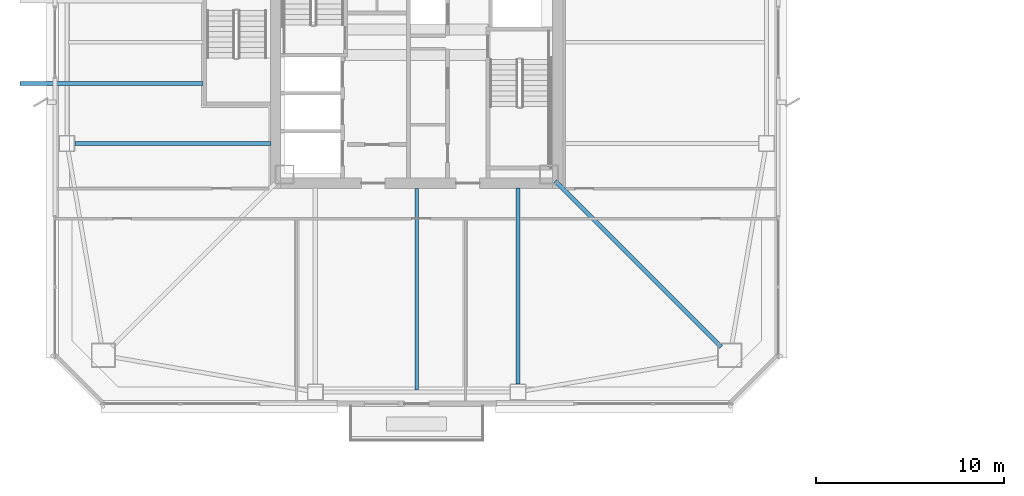
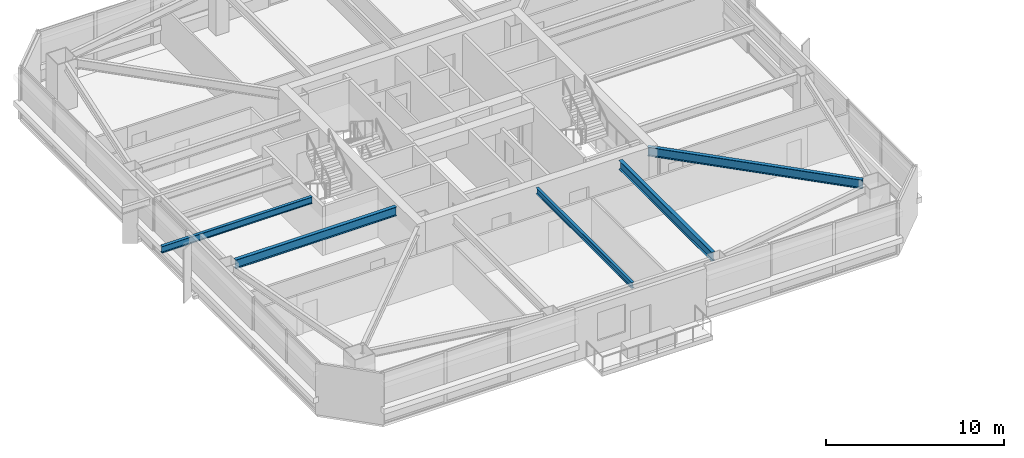
# One storey, part 7 of 48: 5 beams.
"""IFC4 building model written with IfcOpenShell, lengths in metres."""

from ifc_helpers import new_model, si_unit, direction, frame, origin, origin_2d, place, context, subcontext, project, spatial, i_section, extrude, material, material_profile, profile_set, type_object, element, save


model = new_model("IFC4")

# Units and contexts
model_context = context("Model", 3, precision=1e-05, world=origin(), true_north=direction((0.0, 1.0)))
body_context = subcontext(model_context, "Body", "Model", "MODEL_VIEW")
ifc_project = project(units=[si_unit("LENGTHUNIT", "METRE"), si_unit("AREAUNIT", "SQUARE_METRE"), si_unit("VOLUMEUNIT", "CUBIC_METRE"), si_unit("PLANEANGLEUNIT", "RADIAN"), si_unit("MASSUNIT", "GRAM", prefix="KILO")], contexts=[model_context])

# Site, building, storey
site_placement = place(None, origin())
site = spatial("IfcSite", under=ifc_project, at=site_placement, CompositionType="ELEMENT")
building_placement = place(site_placement, origin())
building = spatial("IfcBuilding", under=site, at=building_placement, Name="Tashvorn Skyway Center", CompositionType="ELEMENT")
storey_placement = place(building_placement, frame((0.0, 0.0, 125.050048828125)))
storey = spatial("IfcBuildingStorey", under=building, at=storey_placement, Name="L33", CompositionType="ELEMENT", Elevation=125.050048828125)

# Beams
ifc_material = material(Name="Steel ASTM A992 Grade 50", Category="steel")
ifc_material_profile_1 = material_profile(ifc_material, i_section(OverallWidth=0.22998046875, OverallDepth=0.616943359375, WebThickness=0.01318359375, FlangeThickness=0.022216796875, at=origin_2d()), Name="W24X94")
ifc_profile_set_1 = profile_set([ifc_material_profile_1], Name="Steel ASTM A992 Grade 50")
beam_type_1 = type_object("IfcBeamType", Name="BM-BEAM-W24X94", PredefinedType="BEAM", material=ifc_profile_set_1)
beam_1_placement = place(storey_placement, frame((58.243896484375, 15.756103515625, 3.0615234375), z_axis=(-0.707106781187, 0.707106781187, 0.0), x_axis=(-0.707106781187, -0.707106781187, 0.0)))
element("IfcBeam", 1, at=beam_1_placement, inside=storey, type_object=beam_type_1, Name="Tower 1 L33 Primary Floor Girder MC-SE", PredefinedType="BEAM", context=body_context, shape_type="SweptSolid", body=[
    extrude(i_section(OverallWidth=0.22998046875, OverallDepth=0.616943359375, WebThickness=0.01318359375, FlangeThickness=0.022216796875, at=origin_2d()), origin(), (0.0, 0.0, 1.0), 12.50732421875),
])
for number, where, z_axis, x_axis, name in (
    (2, (47.39990234375, 13.77001953125, 3.0615234375), (0.0, 1.0, 0.0), (-1.0, 0.0, 0.0), "Tower 1 L33 Primary Floor Girder FC-S2"),
    (3, (23.77001953125, 26.60009765625, 3.0615234375), (1.0, 0.0, 0.0), (0.0, 1.0, 0.0), "Tower 1 L33 Primary Floor Girder FC-W2"),
):
    element("IfcBeam", number, at=place(storey_placement, frame(where, z_axis=z_axis, x_axis=x_axis)), inside=storey, type_object=beam_type_1, Name=name, PredefinedType="BEAM", context=body_context, shape_type="SweptSolid", body=[
        extrude(i_section(OverallWidth=0.22998046875, OverallDepth=0.616943359375, WebThickness=0.01318359375, FlangeThickness=0.022216796875, at=origin_2d()), origin(), (0.0, 0.0, 1.0), 10.449951171875),
    ])
ifc_material_profile_2 = material_profile(ifc_material, i_section(OverallWidth=0.177978515625, OverallDepth=0.406005859375, WebThickness=0.0078125, FlangeThickness=0.0126953125, at=origin_2d()), Name="W16X40")
ifc_profile_set_2 = profile_set([ifc_material_profile_2], Name="Steel ASTM A992 Grade 50")
beam_type_2 = type_object("IfcBeamType", Name="BM-JOIST-W16X40", PredefinedType="JOIST", material=ifc_profile_set_2)
beam_2_placement = place(storey_placement, frame((42.0, 24.2099609375, 3.1669921875), z_axis=(0.0, -1.0, 0.0), x_axis=(1.0, 0.0, 0.0)))
element("IfcBeam", 4, at=beam_2_placement, inside=storey, type_object=beam_type_2, Name="Tower 1 L33 Secondary Composite Joist JS", PredefinedType="JOIST", context=body_context, shape_type="SweptSolid", body=[
    extrude(i_section(OverallWidth=0.177978515625, OverallDepth=0.406005859375, WebThickness=0.0078125, FlangeThickness=0.0126953125, at=origin_2d()), origin(), (0.0, 0.0, 1.0), 10.762451171875),
])
ifc_material_profile_3 = material_profile(ifc_material, i_section(OverallWidth=0.19091796875, OverallDepth=0.4599609375, WebThickness=0.010009765625, FlangeThickness=0.01611328125, at=origin_2d()), Name="W18X55")
ifc_profile_set_3 = profile_set([ifc_material_profile_3], Name="Steel ASTM A992 Grade 50")
beam_type_3 = type_object("IfcBeamType", Name="BM-JOIST-W18X55", PredefinedType="JOIST", material=ifc_profile_set_3)
beam_3_placement = place(storey_placement, frame((30.610107421875, 29.800048828125, 3.139892578125), z_axis=(-1.0, 0.0, 0.0), x_axis=(0.0, -1.0, 0.0)))
element("IfcBeam", 5, at=beam_3_placement, inside=storey, type_object=beam_type_3, Name="Tower 1 L34 Terrace Cantilever Outlooker 1", PredefinedType="JOIST", context=body_context, shape_type="SweptSolid", body=[
    extrude(i_section(OverallWidth=0.19091796875, OverallDepth=0.4599609375, WebThickness=0.010009765625, FlangeThickness=0.01611328125, at=origin_2d()), origin(), (0.0, 0.0, 1.0), 9.760009765625),
])

save(model, "model.ifc")
